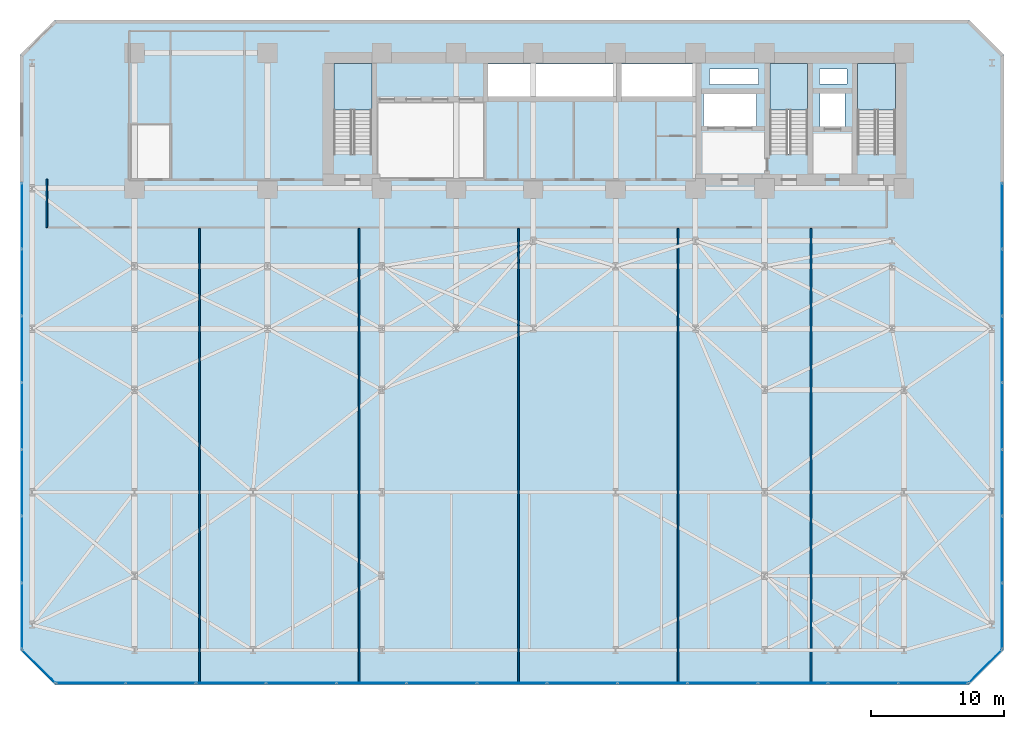
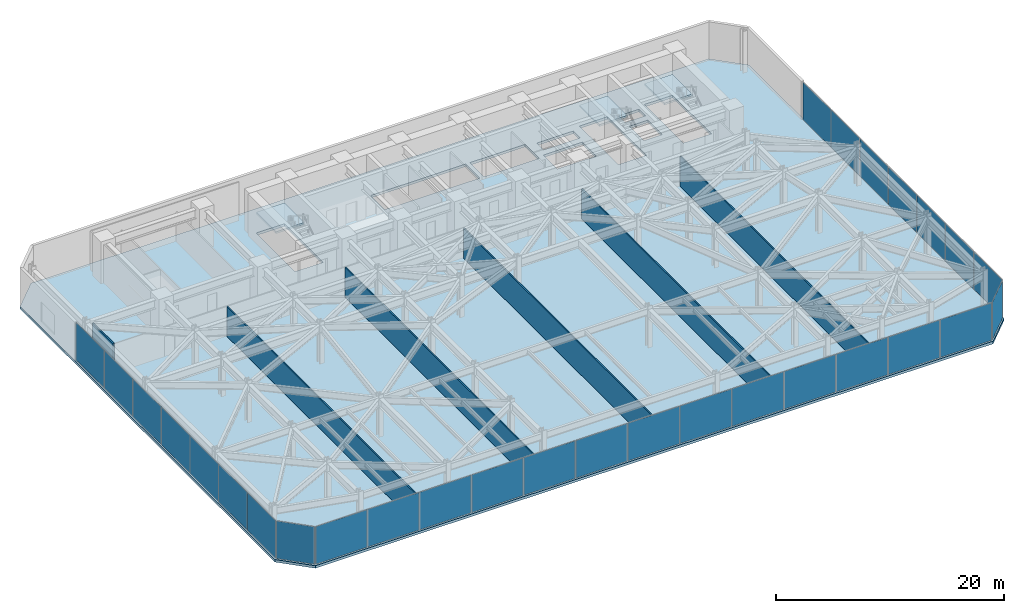
# One storey, part 25 of 30: 29 plates, 6 walls, 4 slabs, 8 elements without a shape of their own.
"""IFC4 building model written with IfcOpenShell, lengths in metres."""

from ifc_helpers import new_model, si_unit, direction, frame, frame_2d, origin, origin_2d, place, context, subcontext, project, spatial, polyline, rectangle, outline, extrude, material, layer, layer_set, type_object, element, aggregate, save


model = new_model("IFC4")

# Units and contexts
model_context = context("Model", 3, precision=1e-05, world=origin(), true_north=direction((0.0, 1.0)))
body_context = subcontext(model_context, "Body", "Model", "MODEL_VIEW")
ifc_project = project(units=[si_unit("LENGTHUNIT", "METRE"), si_unit("AREAUNIT", "SQUARE_METRE"), si_unit("VOLUMEUNIT", "CUBIC_METRE"), si_unit("PLANEANGLEUNIT", "RADIAN"), si_unit("MASSUNIT", "GRAM", prefix="KILO")], contexts=[model_context])

# Site, building, storey
site_placement = place(None, origin())
site = spatial("IfcSite", under=ifc_project, at=site_placement, CompositionType="ELEMENT")
building_placement = place(site_placement, origin())
building = spatial("IfcBuilding", under=site, at=building_placement, Name="Kravanh Interchange Tower", CompositionType="ELEMENT")
storey_placement = place(building_placement, frame((0.0, 0.0, 19.800048828125)))
storey = spatial("IfcBuildingStorey", under=building, at=storey_placement, Name="L04", CompositionType="ELEMENT", Elevation=19.800048828125)

# Slab
ifc_material_1 = material(Name="Concrete C50/60", Category="concrete")
ifc_layer_1 = layer(ifc_material_1, 0.27001953125)
ifc_layer_set_1 = layer_set([ifc_layer_1], Name="Composite Floor Slab Concrete C50/60 270mm")
slab_type_1 = type_object("IfcSlabType", Name="Composite Floor Slab Concrete C50/60 270mm", PredefinedType="FLOOR", material=ifc_layer_set_1)
slab_1_placement = place(storey_placement, frame((0.0, 0.0, -0.27001953125)))
element("IfcSlab", 1, at=slab_1_placement, inside=storey, type_object=slab_type_1, Name="L04 Structural Floor Slab", PredefinedType="FLOOR", context=body_context, shape_type="SweptSolid", body=[
    extrude(outline(polyline([(0.0, 2.60009765625), (2.60009765625, 0.0), (71.39990234375, 0.0), (74.0, 2.60009765625), (74.0, 47.39990234375), (71.39990234375, 50.0), (2.60009765625, 50.0), (0.0, 47.39990234375), (0.0, 2.60009765625)]), holes=[polyline([(65.85009765625, 39.925048828125), (65.85009765625, 46.75), (63.0, 46.75), (63.0, 39.925048828125), (65.85009765625, 39.925048828125)]), polyline([(59.25, 39.925048828125), (59.25, 46.75), (56.39990234375, 46.75), (56.39990234375, 39.925048828125), (59.25, 39.925048828125)]), polyline([(26.449951171875, 39.925048828125), (26.449951171875, 46.75), (23.60009765625, 46.75), (23.60009765625, 39.925048828125), (26.449951171875, 39.925048828125)]), polyline([(35.179931640625, 44.219970703125), (44.840087890625, 44.219970703125), (44.840087890625, 46.699951171875), (35.179931640625, 46.699951171875), (35.179931640625, 44.219970703125)]), polyline([(45.239990234375, 44.219970703125), (50.840087890625, 44.219970703125), (50.840087890625, 46.699951171875), (45.239990234375, 46.699951171875), (45.239990234375, 44.219970703125)]), polyline([(51.419921875, 42.02001953125), (55.3798828125, 42.02001953125), (55.3798828125, 44.47998046875), (51.419921875, 44.47998046875), (51.419921875, 42.02001953125)]), polyline([(60.179931640625, 41.97998046875), (62.06005859375, 41.97998046875), (62.06005859375, 44.52001953125), (60.179931640625, 44.52001953125), (60.179931640625, 41.97998046875)]), polyline([(60.14990234375, 45.199951171875), (62.199951171875, 45.199951171875), (62.199951171875, 46.35009765625), (60.14990234375, 46.35009765625), (60.14990234375, 45.199951171875)]), polyline([(51.85009765625, 45.14990234375), (55.550048828125, 45.14990234375), (55.550048828125, 46.35009765625), (51.85009765625, 46.35009765625), (51.85009765625, 45.14990234375)])]), origin(), (0.0, 0.0, 1.0), 0.27001953125),
])

# Stair, slab
ifc_material_2 = material(Name="Concrete C50/60", Category="concrete")
stair_type = type_object("IfcStairType", Name="Core Fire Exit Dogleg Stair Concrete C50/60", PredefinedType="HALF_TURN_STAIR", material=ifc_material_2)
stair_1_placement = place(storey_placement, origin())
stair_1 = element("IfcStair", 2, at=stair_1_placement, inside=storey, type_object=stair_type, Name="L04 Exit Stair ST1", PredefinedType="HALF_TURN_STAIR")
ifc_material_3 = material(Name="Concrete C50/60", Category="concrete")
ifc_layer_2 = layer(ifc_material_3, 0.199951171875)
ifc_layer_set_2 = layer_set([ifc_layer_2], Name="Concrete C50/60 Stair Half-Landing Slab 200mm")
slab_type_2 = type_object("IfcSlabType", Name="Concrete C50/60 Stair Half-Landing Slab 200mm", PredefinedType="LANDING", material=ifc_layer_set_2)
slab_2_placement = place(storey_placement, frame((0.0, 0.0, 2.050048828125)))
slab_2 = element("IfcSlab", 3, at=slab_2_placement, type_object=slab_type_2, Name="ST1 landing 1", PredefinedType="LANDING", context=body_context, shape_type="SweptSolid", body=[
    extrude(outline(polyline([(65.85009765625, 43.260009765625), (65.85009765625, 46.75), (63.0, 46.75), (63.0, 43.260009765625), (65.85009765625, 43.260009765625)])), origin(), (0.0, 0.0, 1.0), 0.199951171875),
])
aggregate(stair_1, [slab_2])

stair_2_placement = place(storey_placement, origin())
stair_2 = element("IfcStair", 4, at=stair_2_placement, inside=storey, type_object=stair_type, Name="L04 Exit Stair ST2", PredefinedType="HALF_TURN_STAIR")
slab_3_placement = place(storey_placement, frame((0.0, 0.0, 2.050048828125)))
slab_3 = element("IfcSlab", 5, at=slab_3_placement, type_object=slab_type_2, Name="ST2 landing 1", PredefinedType="LANDING", context=body_context, shape_type="SweptSolid", body=[
    extrude(outline(polyline([(59.25, 43.260009765625), (59.25, 46.75), (56.39990234375, 46.75), (56.39990234375, 43.260009765625), (59.25, 43.260009765625)])), origin(), (0.0, 0.0, 1.0), 0.199951171875),
])
aggregate(stair_2, [slab_3])

stair_3_placement = place(storey_placement, origin())
stair_3 = element("IfcStair", 6, at=stair_3_placement, inside=storey, type_object=stair_type, Name="L04 Exit Stair ST3", PredefinedType="HALF_TURN_STAIR")
slab_4_placement = place(storey_placement, frame((0.0, 0.0, 2.050048828125)))
slab_4 = element("IfcSlab", 7, at=slab_4_placement, type_object=slab_type_2, Name="ST3 landing 1", PredefinedType="LANDING", context=body_context, shape_type="SweptSolid", body=[
    extrude(outline(polyline([(26.449951171875, 43.260009765625), (26.449951171875, 46.75), (23.60009765625, 46.75), (23.60009765625, 43.260009765625), (26.449951171875, 43.260009765625)])), origin(), (0.0, 0.0, 1.0), 0.199951171875),
])
aggregate(stair_3, [slab_4])

# Curtain wall, plates
ifc_material_4 = material(Name="Anodised Bronze Aluminium", Category="aluminium")
ifc_layer_3 = layer(ifc_material_4, 0.179931640625)
ifc_layer_set_3 = layer_set([ifc_layer_3], Name="Unitised Curtain Wall System CW-POD Podium Concourse")
curtain_wall_type = type_object("IfcCurtainWallType", Name="Unitised Curtain Wall System CW-POD Podium Concourse", PredefinedType="NOTDEFINED", material=ifc_layer_set_3)
curtain_wall_1_placement = place(storey_placement, origin())
curtain_wall_1 = element("IfcCurtainWall", 8, at=curtain_wall_1_placement, inside=storey, type_object=curtain_wall_type, Name="L04 Unitised Curtain Wall CW-L04-01", PredefinedType="NOTDEFINED")
ifc_material_5 = material(Name="Low-E Laminated Architectural Glass", Category="glass")
ifc_layer_4 = layer(ifc_material_5, 0.031982421875)
ifc_layer_set_4 = layer_set([ifc_layer_4], Name="Low-E Laminated Glazing 32mm")
plate_type = type_object("IfcPlateType", Name="Low-E Laminated Glazing 32mm", PredefinedType="CURTAIN_PANEL", material=ifc_layer_set_4)
plate_1_placement = place(storey_placement, frame((0.1201171875, 5.177978515625, 0.06005859375), z_axis=(0.0, 0.0, 1.0), x_axis=(0.0, 1.0, 0.0)))
plate_1 = element("IfcPlate", 9, at=plate_1_placement, type_object=plate_type, Name="CW-POD panel 1.1", PredefinedType="CURTAIN_PANEL", context=body_context, shape_type="SweptSolid", body=[
    extrude(rectangle(XDim=4.91650390625, YDim=0.031982421875, at=origin_2d()), origin(), (0.0, 0.0, 1.0), 4.030029296875),
])
plate_2_placement = place(storey_placement, frame((0.1201171875, 10.181884765625, 0.06005859375), z_axis=(0.0, 0.0, 1.0), x_axis=(0.0, 1.0, 0.0)))
plate_2 = element("IfcPlate", 10, at=plate_2_placement, type_object=plate_type, Name="CW-POD panel 2.1", PredefinedType="CURTAIN_PANEL", context=body_context, shape_type="SweptSolid", body=[
    extrude(rectangle(XDim=4.951416015625, YDim=0.031982421875, at=origin_2d()), origin(), (0.0, 0.0, 1.0), 4.030029296875),
])
plate_3_placement = place(storey_placement, frame((0.1201171875, 15.203369140625, 0.06005859375), z_axis=(0.0, 0.0, 1.0), x_axis=(0.0, 1.0, 0.0)))
plate_3 = element("IfcPlate", 11, at=plate_3_placement, type_object=plate_type, Name="CW-POD panel 3.1", PredefinedType="CURTAIN_PANEL", context=body_context, shape_type="SweptSolid", body=[
    extrude(rectangle(XDim=4.951416015625, YDim=0.031982421875, at=origin_2d()), origin(), (0.0, 0.0, 1.0), 4.030029296875),
])
plate_4_placement = place(storey_placement, frame((0.1201171875, 20.224853515625, 0.06005859375), z_axis=(0.0, 0.0, 1.0), x_axis=(0.0, 1.0, 0.0)))
plate_4 = element("IfcPlate", 12, at=plate_4_placement, type_object=plate_type, Name="CW-POD panel 4.1", PredefinedType="CURTAIN_PANEL", context=body_context, shape_type="SweptSolid", body=[
    extrude(rectangle(XDim=4.951416015625, YDim=0.031982421875, at=origin_2d()), origin(), (0.0, 0.0, 1.0), 4.030029296875),
])
plate_5_placement = place(storey_placement, frame((0.1201171875, 25.246337890625, 0.06005859375), z_axis=(0.0, 0.0, 1.0), x_axis=(0.0, 1.0, 0.0)))
plate_5 = element("IfcPlate", 13, at=plate_5_placement, type_object=plate_type, Name="CW-POD panel 5.1", PredefinedType="CURTAIN_PANEL", context=body_context, shape_type="SweptSolid", body=[
    extrude(rectangle(XDim=4.951416015625, YDim=0.031982421875, at=origin_2d()), origin(), (0.0, 0.0, 1.0), 4.030029296875),
])
plate_6_placement = place(storey_placement, frame((0.1201171875, 30.267822265625, 0.06005859375), z_axis=(0.0, 0.0, 1.0), x_axis=(0.0, 1.0, 0.0)))
plate_6 = element("IfcPlate", 14, at=plate_6_placement, type_object=plate_type, Name="CW-POD panel 6.1", PredefinedType="CURTAIN_PANEL", context=body_context, shape_type="SweptSolid", body=[
    extrude(rectangle(XDim=4.951416015625, YDim=0.031982421875, at=origin_2d()), origin(), (0.0, 0.0, 1.0), 4.030029296875),
])
plate_7_placement = place(storey_placement, frame((0.1201171875, 35.271728515625, 0.06005859375), z_axis=(0.0, 0.0, 1.0), x_axis=(0.0, 1.0, 0.0)))
plate_7 = element("IfcPlate", 15, at=plate_7_placement, type_object=plate_type, Name="CW-POD panel 7.1", PredefinedType="CURTAIN_PANEL", context=body_context, shape_type="SweptSolid", body=[
    extrude(rectangle(XDim=4.91650390625, YDim=0.031982421875, at=origin_2d()), origin(), (0.0, 0.0, 1.0), 4.030029296875),
])
aggregate(curtain_wall_1, [plate_1, plate_2, plate_3, plate_4, plate_5, plate_6, plate_7])

curtain_wall_2_placement = place(storey_placement, origin())
curtain_wall_2 = element("IfcCurtainWall", 16, at=curtain_wall_2_placement, inside=storey, type_object=curtain_wall_type, Name="L04 Unitised Curtain Wall CW-L04-02", PredefinedType="NOTDEFINED")
plate_8_placement = place(storey_placement, frame((73.8798828125, 35.271728515625, 0.06005859375), z_axis=(0.0, 0.0, 1.0), x_axis=(0.0, -1.0, 0.0)))
plate_8 = element("IfcPlate", 17, at=plate_8_placement, type_object=plate_type, Name="CW-POD panel 1.1", PredefinedType="CURTAIN_PANEL", context=body_context, shape_type="SweptSolid", body=[
    extrude(rectangle(XDim=4.91650390625, YDim=0.031982421875, at=origin_2d()), origin(), (0.0, 0.0, 1.0), 4.030029296875),
])
plate_9_placement = place(storey_placement, frame((73.8798828125, 30.267822265625, 0.06005859375), z_axis=(0.0, 0.0, 1.0), x_axis=(0.0, -1.0, 0.0)))
plate_9 = element("IfcPlate", 18, at=plate_9_placement, type_object=plate_type, Name="CW-POD panel 2.1", PredefinedType="CURTAIN_PANEL", context=body_context, shape_type="SweptSolid", body=[
    extrude(rectangle(XDim=4.951416015625, YDim=0.031982421875, at=origin_2d()), origin(), (0.0, 0.0, 1.0), 4.030029296875),
])
plate_10_placement = place(storey_placement, frame((73.8798828125, 25.246337890625, 0.06005859375), z_axis=(0.0, 0.0, 1.0), x_axis=(0.0, -1.0, 0.0)))
plate_10 = element("IfcPlate", 19, at=plate_10_placement, type_object=plate_type, Name="CW-POD panel 3.1", PredefinedType="CURTAIN_PANEL", context=body_context, shape_type="SweptSolid", body=[
    extrude(rectangle(XDim=4.951416015625, YDim=0.031982421875, at=origin_2d()), origin(), (0.0, 0.0, 1.0), 4.030029296875),
])
plate_11_placement = place(storey_placement, frame((73.8798828125, 20.224853515625, 0.06005859375), z_axis=(0.0, 0.0, 1.0), x_axis=(0.0, -1.0, 0.0)))
plate_11 = element("IfcPlate", 20, at=plate_11_placement, type_object=plate_type, Name="CW-POD panel 4.1", PredefinedType="CURTAIN_PANEL", context=body_context, shape_type="SweptSolid", body=[
    extrude(rectangle(XDim=4.951416015625, YDim=0.031982421875, at=origin_2d()), origin(), (0.0, 0.0, 1.0), 4.030029296875),
])
plate_12_placement = place(storey_placement, frame((73.8798828125, 15.203369140625, 0.06005859375), z_axis=(0.0, 0.0, 1.0), x_axis=(0.0, -1.0, 0.0)))
plate_12 = element("IfcPlate", 21, at=plate_12_placement, type_object=plate_type, Name="CW-POD panel 5.1", PredefinedType="CURTAIN_PANEL", context=body_context, shape_type="SweptSolid", body=[
    extrude(rectangle(XDim=4.951416015625, YDim=0.031982421875, at=origin_2d()), origin(), (0.0, 0.0, 1.0), 4.030029296875),
])
plate_13_placement = place(storey_placement, frame((73.8798828125, 10.181884765625, 0.06005859375), z_axis=(0.0, 0.0, 1.0), x_axis=(0.0, -1.0, 0.0)))
plate_13 = element("IfcPlate", 22, at=plate_13_placement, type_object=plate_type, Name="CW-POD panel 6.1", PredefinedType="CURTAIN_PANEL", context=body_context, shape_type="SweptSolid", body=[
    extrude(rectangle(XDim=4.951416015625, YDim=0.031982421875, at=origin_2d()), origin(), (0.0, 0.0, 1.0), 4.030029296875),
])
plate_14_placement = place(storey_placement, frame((73.8798828125, 5.177978515625, 0.06005859375), z_axis=(0.0, 0.0, 1.0), x_axis=(0.0, -1.0, 0.0)))
plate_14 = element("IfcPlate", 23, at=plate_14_placement, type_object=plate_type, Name="CW-POD panel 7.1", PredefinedType="CURTAIN_PANEL", context=body_context, shape_type="SweptSolid", body=[
    extrude(rectangle(XDim=4.91650390625, YDim=0.031982421875, at=origin_2d()), origin(), (0.0, 0.0, 1.0), 4.030029296875),
])
aggregate(curtain_wall_2, [plate_8, plate_9, plate_10, plate_11, plate_12, plate_13, plate_14])

# Curtain wall, plate
curtain_wall_3_placement = place(storey_placement, origin())
curtain_wall_3 = element("IfcCurtainWall", 24, at=curtain_wall_3_placement, inside=storey, type_object=curtain_wall_type, Name="L04 Unitised Curtain Wall CW-L04-03", PredefinedType="NOTDEFINED")
plate_15_placement = place(storey_placement, frame((72.615234375, 1.384765625, 0.06005859375), z_axis=(0.0, 0.0, 1.0), x_axis=(-0.707106781187, -0.707106781187, 0.0)))
plate_15 = element("IfcPlate", 25, at=plate_15_placement, type_object=plate_type, Name="CW-POD panel 1.1", PredefinedType="CURTAIN_PANEL", context=body_context, shape_type="SweptSolid", body=[
    extrude(rectangle(XDim=3.4375, YDim=0.031982421875, at=origin_2d()), origin(), (0.0, 0.0, 1.0), 4.030029296875),
])
aggregate(curtain_wall_3, [plate_15])

# Curtain wall, plates
curtain_wall_4_placement = place(storey_placement, origin())
curtain_wall_4 = element("IfcCurtainWall", 26, at=curtain_wall_4_placement, inside=storey, type_object=curtain_wall_type, Name="L04 Unitised Curtain Wall CW-L04-04", PredefinedType="NOTDEFINED")
plate_16_placement = place(storey_placement, frame((68.6904296875, 0.1201171875, 0.06005859375), z_axis=(0.0, 0.0, 1.0), x_axis=(-1.0, 0.0, 0.0)))
plate_16 = element("IfcPlate", 27, at=plate_16_placement, type_object=plate_type, Name="CW-POD panel 1.1", PredefinedType="CURTAIN_PANEL", context=body_context, shape_type="SweptSolid", body=[
    extrude(rectangle(XDim=5.1796875, YDim=0.031982421875, at=origin_2d()), origin(), (0.0, 0.0, 1.0), 4.030029296875),
])
plate_17_placement = place(storey_placement, frame((63.42333984375, 0.1201171875, 0.06005859375), z_axis=(0.0, 0.0, 1.0), x_axis=(-1.0, 0.0, 0.0)))
plate_17 = element("IfcPlate", 28, at=plate_17_placement, type_object=plate_type, Name="CW-POD panel 2.1", PredefinedType="CURTAIN_PANEL", context=body_context, shape_type="SweptSolid", body=[
    extrude(rectangle(XDim=5.214599609375, YDim=0.031982421875, at=origin_2d()), origin(), (0.0, 0.0, 1.0), 4.030029296875),
])
plate_18_placement = place(storey_placement, frame((58.138671875, 0.1201171875, 0.06005859375), z_axis=(0.0, 0.0, 1.0), x_axis=(-1.0, 0.0, 0.0)))
plate_18 = element("IfcPlate", 29, at=plate_18_placement, type_object=plate_type, Name="CW-POD panel 3.1", PredefinedType="CURTAIN_PANEL", context=body_context, shape_type="SweptSolid", body=[
    extrude(rectangle(XDim=5.214599609375, YDim=0.031982421875, at=origin_2d()), origin(), (0.0, 0.0, 1.0), 4.030029296875),
])
plate_19_placement = place(storey_placement, frame((52.85400390625, 0.1201171875, 0.06005859375), z_axis=(0.0, 0.0, 1.0), x_axis=(-1.0, 0.0, 0.0)))
plate_19 = element("IfcPlate", 30, at=plate_19_placement, type_object=plate_type, Name="CW-POD panel 4.1", PredefinedType="CURTAIN_PANEL", context=body_context, shape_type="SweptSolid", body=[
    extrude(rectangle(XDim=5.214599609375, YDim=0.031982421875, at=origin_2d()), origin(), (0.0, 0.0, 1.0), 4.030029296875),
])
plate_20_placement = place(storey_placement, frame((47.5693359375, 0.1201171875, 0.06005859375), z_axis=(0.0, 0.0, 1.0), x_axis=(-1.0, 0.0, 0.0)))
plate_20 = element("IfcPlate", 31, at=plate_20_placement, type_object=plate_type, Name="CW-POD panel 5.1", PredefinedType="CURTAIN_PANEL", context=body_context, shape_type="SweptSolid", body=[
    extrude(rectangle(XDim=5.214599609375, YDim=0.031982421875, at=origin_2d()), origin(), (0.0, 0.0, 1.0), 4.030029296875),
])
plate_21_placement = place(storey_placement, frame((42.28466796875, 0.1201171875, 0.06005859375), z_axis=(0.0, 0.0, 1.0), x_axis=(-1.0, 0.0, 0.0)))
plate_21 = element("IfcPlate", 32, at=plate_21_placement, type_object=plate_type, Name="CW-POD panel 6.1", PredefinedType="CURTAIN_PANEL", context=body_context, shape_type="SweptSolid", body=[
    extrude(rectangle(XDim=5.214599609375, YDim=0.031982421875, at=origin_2d()), origin(), (0.0, 0.0, 1.0), 4.030029296875),
])
plate_22_placement = place(storey_placement, frame((37.0, 0.1201171875, 0.06005859375), z_axis=(0.0, 0.0, 1.0), x_axis=(-1.0, 0.0, 0.0)))
plate_22 = element("IfcPlate", 33, at=plate_22_placement, type_object=plate_type, Name="CW-POD panel 7.1", PredefinedType="CURTAIN_PANEL", context=body_context, shape_type="SweptSolid", body=[
    extrude(rectangle(XDim=5.214599609375, YDim=0.031982421875, at=origin_2d()), origin(), (0.0, 0.0, 1.0), 4.030029296875),
])
plate_23_placement = place(storey_placement, frame((31.71533203125, 0.1201171875, 0.06005859375), z_axis=(0.0, 0.0, 1.0), x_axis=(-1.0, 0.0, 0.0)))
plate_23 = element("IfcPlate", 34, at=plate_23_placement, type_object=plate_type, Name="CW-POD panel 8.1", PredefinedType="CURTAIN_PANEL", context=body_context, shape_type="SweptSolid", body=[
    extrude(rectangle(XDim=5.214599609375, YDim=0.031982421875, at=origin_2d()), origin(), (0.0, 0.0, 1.0), 4.030029296875),
])
plate_24_placement = place(storey_placement, frame((26.4306640625, 0.1201171875, 0.06005859375), z_axis=(0.0, 0.0, 1.0), x_axis=(-1.0, 0.0, 0.0)))
plate_24 = element("IfcPlate", 35, at=plate_24_placement, type_object=plate_type, Name="CW-POD panel 9.1", PredefinedType="CURTAIN_PANEL", context=body_context, shape_type="SweptSolid", body=[
    extrude(rectangle(XDim=5.214599609375, YDim=0.031982421875, at=origin_2d()), origin(), (0.0, 0.0, 1.0), 4.030029296875),
])
plate_25_placement = place(storey_placement, frame((21.14599609375, 0.1201171875, 0.06005859375), z_axis=(0.0, 0.0, 1.0), x_axis=(-1.0, 0.0, 0.0)))
plate_25 = element("IfcPlate", 36, at=plate_25_placement, type_object=plate_type, Name="CW-POD panel 10.1", PredefinedType="CURTAIN_PANEL", context=body_context, shape_type="SweptSolid", body=[
    extrude(rectangle(XDim=5.214599609375, YDim=0.031982421875, at=origin_2d()), origin(), (0.0, 0.0, 1.0), 4.030029296875),
])
plate_26_placement = place(storey_placement, frame((15.861328125, 0.1201171875, 0.06005859375), z_axis=(0.0, 0.0, 1.0), x_axis=(-1.0, 0.0, 0.0)))
plate_26 = element("IfcPlate", 37, at=plate_26_placement, type_object=plate_type, Name="CW-POD panel 11.1", PredefinedType="CURTAIN_PANEL", context=body_context, shape_type="SweptSolid", body=[
    extrude(rectangle(XDim=5.214599609375, YDim=0.031982421875, at=origin_2d()), origin(), (0.0, 0.0, 1.0), 4.030029296875),
])
plate_27_placement = place(storey_placement, frame((10.57666015625, 0.1201171875, 0.06005859375), z_axis=(0.0, 0.0, 1.0), x_axis=(-1.0, 0.0, 0.0)))
plate_27 = element("IfcPlate", 38, at=plate_27_placement, type_object=plate_type, Name="CW-POD panel 12.1", PredefinedType="CURTAIN_PANEL", context=body_context, shape_type="SweptSolid", body=[
    extrude(rectangle(XDim=5.214599609375, YDim=0.031982421875, at=origin_2d()), origin(), (0.0, 0.0, 1.0), 4.030029296875),
])
plate_28_placement = place(storey_placement, frame((5.3095703125, 0.1201171875, 0.06005859375), z_axis=(0.0, 0.0, 1.0), x_axis=(-1.0, 0.0, 0.0)))
plate_28 = element("IfcPlate", 39, at=plate_28_placement, type_object=plate_type, Name="CW-POD panel 13.1", PredefinedType="CURTAIN_PANEL", context=body_context, shape_type="SweptSolid", body=[
    extrude(rectangle(XDim=5.1796875, YDim=0.031982421875, at=origin_2d()), origin(), (0.0, 0.0, 1.0), 4.030029296875),
])
aggregate(curtain_wall_4, [plate_16, plate_17, plate_18, plate_19, plate_20, plate_21, plate_22, plate_23, plate_24, plate_25, plate_26, plate_27, plate_28])

# Curtain wall, plate
curtain_wall_5_placement = place(storey_placement, origin())
curtain_wall_5 = element("IfcCurtainWall", 40, at=curtain_wall_5_placement, inside=storey, type_object=curtain_wall_type, Name="L04 Unitised Curtain Wall CW-L04-05", PredefinedType="NOTDEFINED")
plate_29_placement = place(storey_placement, frame((1.384765625, 1.384765625, 0.06005859375), z_axis=(0.0, 0.0, 1.0), x_axis=(-0.707106781187, 0.707106781187, 0.0)))
plate_29 = element("IfcPlate", 41, at=plate_29_placement, type_object=plate_type, Name="CW-POD panel 1.1", PredefinedType="CURTAIN_PANEL", context=body_context, shape_type="SweptSolid", body=[
    extrude(rectangle(XDim=3.4375, YDim=0.031982421875, at=origin_2d()), origin(), (0.0, 0.0, 1.0), 4.030029296875),
])
aggregate(curtain_wall_5, [plate_29])

# Walls
ifc_material_6 = material(Name="Double Acoustic Gypsum Board and Mineral Wool")
ifc_layer_5 = layer(ifc_material_6, 0.1201171875)
ifc_layer_set_5 = layer_set([ifc_layer_5], Name="Acoustic Office Drywall Partition 120mm")
wall_type = type_object("IfcWallType", Name="Acoustic Office Drywall Partition 120mm", PredefinedType="PARTITIONING", material=ifc_layer_set_5)
wall_placement = place(storey_placement, frame((2.0, 34.39990234375, 0.0), z_axis=(0.0, 0.0, 1.0), x_axis=(0.0, 1.0, 0.0)))
element("IfcWall", 42, at=wall_placement, inside=storey, type_object=wall_type, Name="L04 Interior Partition 10", PredefinedType="PARTITIONING", context=body_context, shape_type="SweptSolid", body=[
    extrude(rectangle(XDim=3.650146484375, YDim=0.1201171875, at=frame_2d((1.8251953125, 0.0))), origin(), (0.0, 0.0, 1.0), 3.201904296875),
])
for number, where, z_axis, x_axis, name in (
    (43, (13.5, 0.199951171875, 0.0), (0.0, 0.0, 1.0), (0.0, 1.0, 0.0), "L04 Interior Partition 18"),
    (44, (25.5, 0.199951171875, 0.0), (0.0, 0.0, 1.0), (0.0, 1.0, 0.0), "L04 Interior Partition 19"),
    (45, (37.5, 0.199951171875, 0.0), (0.0, 0.0, 1.0), (0.0, 1.0, 0.0), "L04 Interior Partition 20"),
    (46, (49.5, 0.199951171875, 0.0), (0.0, 0.0, 1.0), (0.0, 1.0, 0.0), "L04 Interior Partition 21"),
    (47, (59.5, 0.199951171875, 0.0), (0.0, 0.0, 1.0), (0.0, 1.0, 0.0), "L04 Interior Partition 22"),
):
    element("IfcWall", number, at=place(storey_placement, frame(where, z_axis=z_axis, x_axis=x_axis)), inside=storey, type_object=wall_type, Name=name, PredefinedType="PARTITIONING", context=body_context, shape_type="SweptSolid", body=[
        extrude(rectangle(XDim=34.132080078125, YDim=0.1201171875, at=frame_2d((17.06591796875, 0.0))), origin(), (0.0, 0.0, 1.0), 3.201904296875),
    ])

save(model, "model.ifc")
